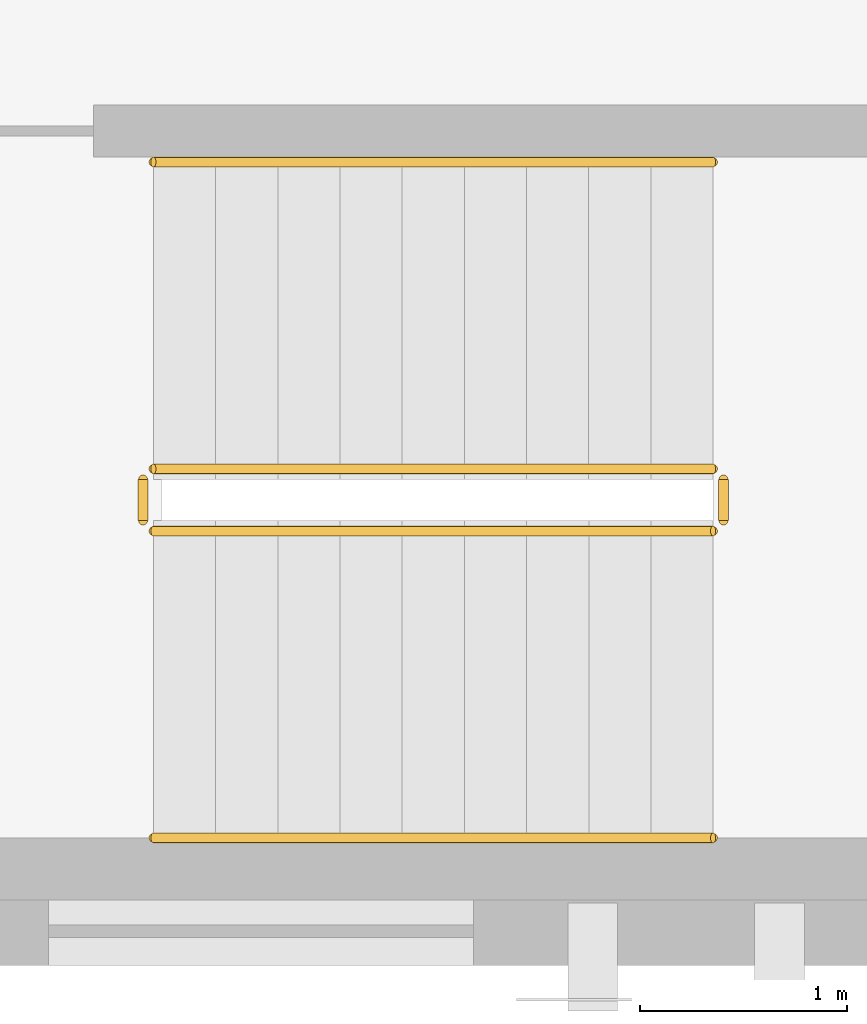
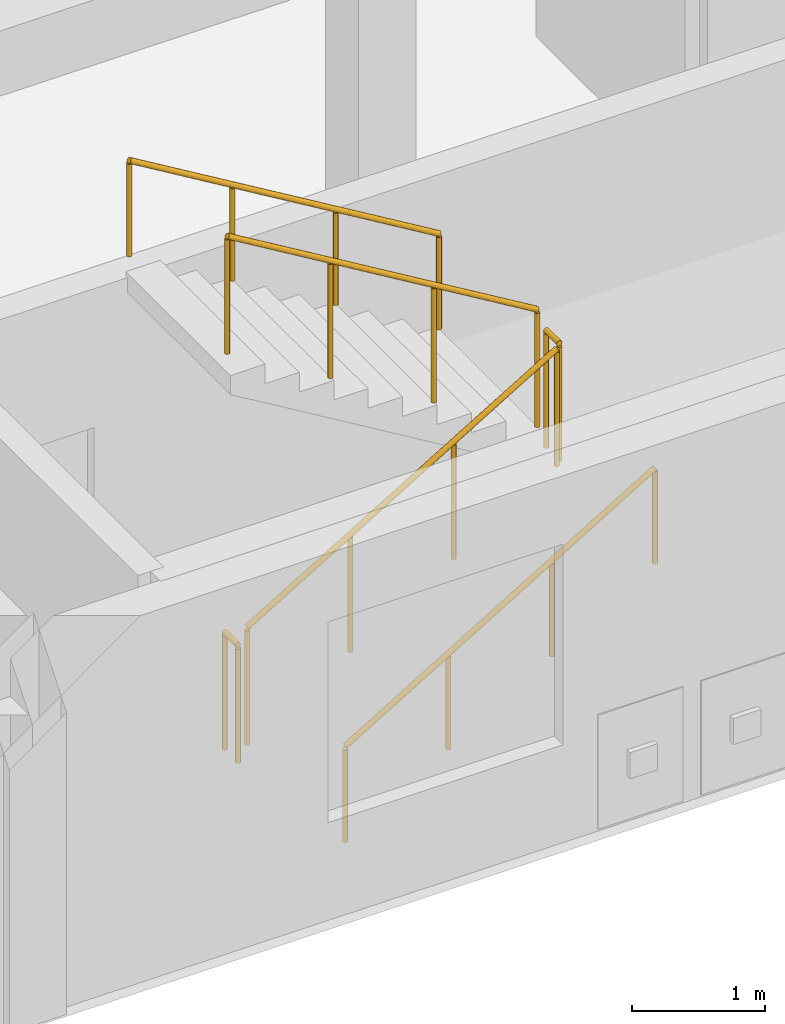
# One storey, part 34 of 34: 6 railings.
"""IFC4 building model written with IfcOpenShell, lengths in metres."""

from ifc_helpers import new_model, si_unit, direction, frame, origin, origin_2d, place, context, subcontext, project, spatial, circle, extrude, material, layer, layer_set, type_object, element, save


model = new_model("IFC4")

# Units and contexts
model_context = context("Model", 3, precision=1e-05, world=origin(), true_north=direction((0.0, 1.0)))
body_context = subcontext(model_context, "Body", "Model", "MODEL_VIEW")
ifc_project = project(units=[si_unit("LENGTHUNIT", "METRE"), si_unit("AREAUNIT", "SQUARE_METRE"), si_unit("VOLUMEUNIT", "CUBIC_METRE"), si_unit("PLANEANGLEUNIT", "RADIAN"), si_unit("MASSUNIT", "GRAM", prefix="KILO")], contexts=[model_context])

# Site, building, storey
site_placement = place(None, origin())
site = spatial("IfcSite", under=ifc_project, at=site_placement, CompositionType="ELEMENT")
building_placement = place(site_placement, origin())
building = spatial("IfcBuilding", under=site, at=building_placement, Name="Carrowvane Square Congress Hotel", CompositionType="ELEMENT")
storey_placement = place(building_placement, frame((0.0, 0.0, 40.800048828125)))
storey = spatial("IfcBuildingStorey", under=building, at=storey_placement, Name="L10", CompositionType="ELEMENT", Elevation=40.800048828125)

# Railings
ifc_material_1 = material(Name="Stainless steel 316", Category="steel")
ifc_layer_1 = layer(ifc_material_1, 0.048095703125)
ifc_layer_set_1 = layer_set([ifc_layer_1], Name="Stainless steel 316")
railing_type_1 = type_object("IfcRailingType", Name="RLG-HR-900", PredefinedType="HANDRAIL", material=ifc_layer_set_1)
railing_1_placement = place(storey_placement, frame((101.080078125, 92.25, 0.179931640625)))
element("IfcRailing", 1, at=railing_1_placement, inside=storey, type_object=railing_type_1, Name="L10 ST3 stair handrail 1", PredefinedType="HANDRAIL", context=body_context, shape_type="SweptSolid", body=[
    extrude(circle(Radius=0.02392578125, at=origin_2d()), frame((0.0, 0.0, 0.8759765625), z_axis=(0.857472400752, 0.0, 0.514529962148), x_axis=(0.0, 1.0, 0.0)), (0.0, 0.0, 1.0), 3.148681640625),
    extrude(circle(Radius=0.02099609375, at=origin_2d()), origin(), (0.0, 0.0, 1.0), 0.851806640625),
    extrude(circle(Radius=0.02099609375, at=origin_2d()), frame((0.89990234375, 0.0, 0.5400390625)), (0.0, 0.0, 1.0), 0.851806640625),
    extrude(circle(Radius=0.02099609375, at=origin_2d()), frame((1.800048828125, 0.0, 1.080078125)), (0.0, 0.0, 1.0), 0.851806640625),
    extrude(circle(Radius=0.02099609375, at=origin_2d()), frame((2.699951171875, 0.0, 1.6201171875)), (0.0, 0.0, 1.0), 0.851806640625),
])
railing_2_placement = place(storey_placement, frame((103.780029296875, 95.510009765625, 1.97998046875)))
element("IfcRailing", 2, at=railing_2_placement, inside=storey, type_object=railing_type_1, Name="L10 ST3 stair handrail 2", PredefinedType="HANDRAIL", context=body_context, shape_type="SweptSolid", body=[
    extrude(circle(Radius=0.02392578125, at=origin_2d()), frame((0.0, 0.0, 0.8759765625), z_axis=(-0.857506608807, 0.0, 0.514472949583), x_axis=(0.0, -1.0, 0.0)), (0.0, 0.0, 1.0), 3.148681640625),
    extrude(circle(Radius=0.02099609375, at=origin_2d()), origin(), (0.0, 0.0, 1.0), 0.851806640625),
    extrude(circle(Radius=0.02099609375, at=origin_2d()), frame((-0.89990234375, 0.0, 0.5400390625)), (0.0, 0.0, 1.0), 0.851806640625),
    extrude(circle(Radius=0.02099609375, at=origin_2d()), frame((-1.800048828125, 0.0, 1.079833984375)), (0.0, 0.0, 1.0), 0.851806640625),
    extrude(circle(Radius=0.02099609375, at=origin_2d()), frame((-2.699951171875, 0.0, 1.619873046875)), (0.0, 0.0, 1.0), 0.851806640625),
])
ifc_material_2 = material(Name="Galvanised steel", Category="steel")
ifc_layer_2 = layer(ifc_material_2, 0.048095703125)
ifc_layer_set_2 = layer_set([ifc_layer_2], Name="Galvanised steel")
railing_type_2 = type_object("IfcRailingType", Name="RLG-STG-1100", PredefinedType="GUARDRAIL", material=ifc_layer_set_2)
railing_3_placement = place(storey_placement, frame((101.080078125, 93.72998046875, 0.179931640625)))
element("IfcRailing", 3, at=railing_3_placement, inside=storey, type_object=railing_type_2, Name="L10 ST3 stair guard 1", PredefinedType="GUARDRAIL", context=body_context, shape_type="SweptSolid", body=[
    extrude(circle(Radius=0.02392578125, at=origin_2d()), frame((0.0, 0.0, 1.076171875), z_axis=(0.857472400752, 0.0, 0.514529962148), x_axis=(0.0, 1.0, 0.0)), (0.0, 0.0, 1.0), 3.148681640625),
    extrude(circle(Radius=0.02099609375, at=origin_2d()), origin(), (0.0, 0.0, 1.0), 1.052001953125),
    extrude(circle(Radius=0.02099609375, at=origin_2d()), frame((0.89990234375, 0.0, 0.5400390625)), (0.0, 0.0, 1.0), 1.052001953125),
    extrude(circle(Radius=0.02099609375, at=origin_2d()), frame((1.800048828125, 0.0, 1.080078125)), (0.0, 0.0, 1.0), 1.052001953125),
    extrude(circle(Radius=0.02099609375, at=origin_2d()), frame((2.699951171875, 0.0, 1.6201171875)), (0.0, 0.0, 1.0), 1.052001953125),
])
railing_4_placement = place(storey_placement, frame((103.830078125, 93.780029296875, 1.800048828125)))
element("IfcRailing", 4, at=railing_4_placement, inside=storey, type_object=railing_type_2, Name="L10 ST3 stair guard 2", PredefinedType="GUARDRAIL", context=body_context, shape_type="SweptSolid", body=[
    extrude(circle(Radius=0.02392578125, at=origin_2d()), frame((0.0, 0.0, 1.076171875), z_axis=(0.0, 1.0, 0.0), x_axis=(-1.0, 0.0, 0.0)), (0.0, 0.0, 1.0), 0.199951171875),
    extrude(circle(Radius=0.02099609375, at=origin_2d()), origin(), (0.0, 0.0, 1.0), 1.052001953125),
    extrude(circle(Radius=0.02099609375, at=origin_2d()), frame((0.0, 0.199951171875, 0.0)), (0.0, 0.0, 1.0), 1.052001953125),
])
railing_5_placement = place(storey_placement, frame((103.780029296875, 94.030029296875, 1.97998046875)))
element("IfcRailing", 5, at=railing_5_placement, inside=storey, type_object=railing_type_2, Name="L10 ST3 stair guard 3", PredefinedType="GUARDRAIL", context=body_context, shape_type="SweptSolid", body=[
    extrude(circle(Radius=0.02392578125, at=origin_2d()), frame((0.0, 0.0, 1.076171875), z_axis=(-0.857506608807, 0.0, 0.514472949583), x_axis=(0.0, -1.0, 0.0)), (0.0, 0.0, 1.0), 3.148681640625),
    extrude(circle(Radius=0.02099609375, at=origin_2d()), origin(), (0.0, 0.0, 1.0), 1.052001953125),
    extrude(circle(Radius=0.02099609375, at=origin_2d()), frame((-0.89990234375, 0.0, 0.5400390625)), (0.0, 0.0, 1.0), 1.052001953125),
    extrude(circle(Radius=0.02099609375, at=origin_2d()), frame((-1.800048828125, 0.0, 1.079833984375)), (0.0, 0.0, 1.0), 1.052001953125),
    extrude(circle(Radius=0.02099609375, at=origin_2d()), frame((-2.699951171875, 0.0, 1.619873046875)), (0.0, 0.0, 1.0), 1.052001953125),
])
railing_6_placement = place(storey_placement, frame((101.030029296875, 93.780029296875, 0.0)))
element("IfcRailing", 6, at=railing_6_placement, inside=storey, type_object=railing_type_2, Name="L10 ST3 stair guard 4", PredefinedType="GUARDRAIL", context=body_context, shape_type="SweptSolid", body=[
    extrude(circle(Radius=0.02392578125, at=origin_2d()), frame((0.0, 0.0, 1.076171875), z_axis=(0.0, 1.0, 0.0), x_axis=(-1.0, 0.0, 0.0)), (0.0, 0.0, 1.0), 0.199951171875),
    extrude(circle(Radius=0.02099609375, at=origin_2d()), origin(), (0.0, 0.0, 1.0), 1.052001953125),
    extrude(circle(Radius=0.02099609375, at=origin_2d()), frame((0.0, 0.199951171875, 0.0)), (0.0, 0.0, 1.0), 1.052001953125),
])

save(model, "model.ifc")
